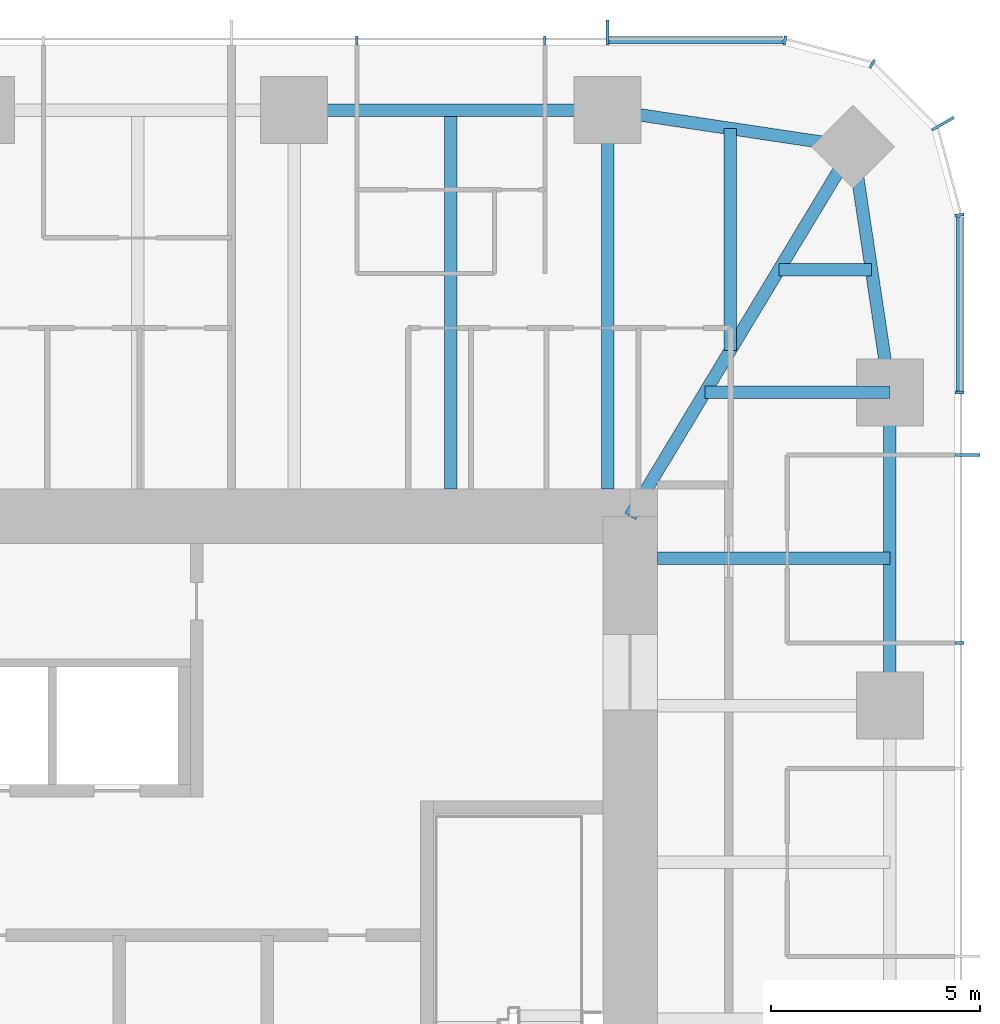
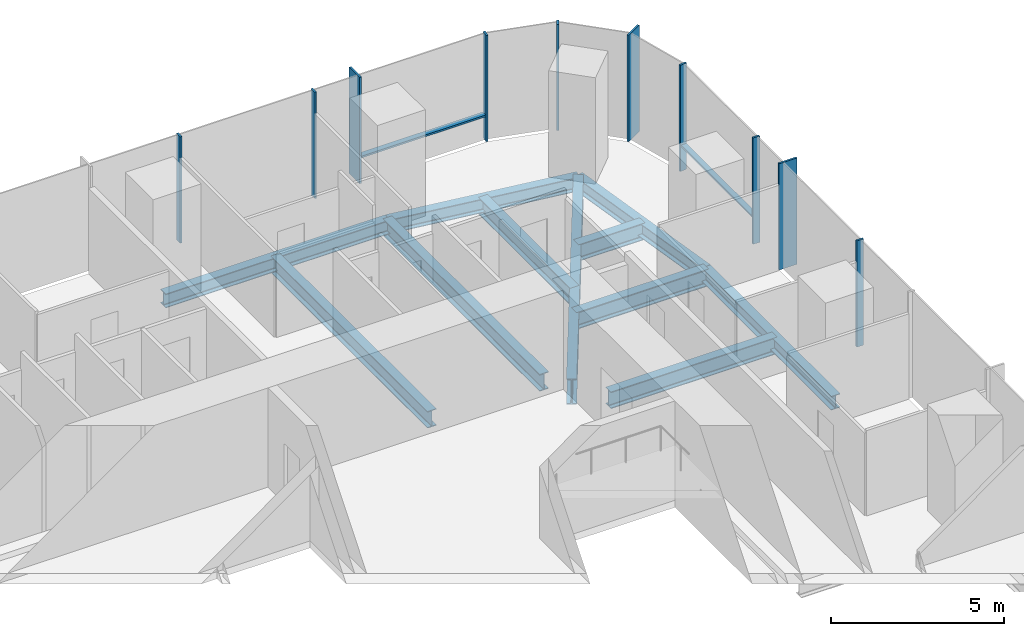
# One storey, part 6 of 12: 12 members, 11 beams, 3 elements without a shape of their own.
"""IFC4 building model written with IfcOpenShell, lengths in metres."""

from ifc_helpers import new_model, si_unit, direction, frame, origin, origin_2d, place, context, subcontext, project, spatial, rectangle, i_section, extrude, material, material_profile, profile_set, type_object, element, aggregate, save


model = new_model("IFC4")

# Units and contexts
model_context = context("Model", 3, precision=1e-05, world=origin(), true_north=direction((0.0, 1.0)))
body_context = subcontext(model_context, "Body", "Model", "MODEL_VIEW")
ifc_project = project(units=[si_unit("LENGTHUNIT", "METRE"), si_unit("AREAUNIT", "SQUARE_METRE"), si_unit("VOLUMEUNIT", "CUBIC_METRE"), si_unit("PLANEANGLEUNIT", "RADIAN"), si_unit("MASSUNIT", "GRAM", prefix="KILO")], contexts=[model_context])

# Site, building, storey
site_placement = place(None, origin())
site = spatial("IfcSite", under=ifc_project, at=site_placement, CompositionType="ELEMENT")
building_placement = place(site_placement, origin())
building = spatial("IfcBuilding", under=site, at=building_placement, Name="Khuree Lantern Residences", CompositionType="ELEMENT")
storey_placement = place(building_placement, frame((0.0, 0.0, 323.25)))
storey = spatial("IfcBuildingStorey", under=building, at=storey_placement, Name="L81", CompositionType="ELEMENT", Elevation=323.25)

# Beams
ifc_material_1 = material(Name="Steel S355", Category="steel")
ifc_material_profile_1 = material_profile(ifc_material_1, i_section(OverallWidth=0.300048828125, OverallDepth=0.590087890625, WebThickness=0.012939453125, FlangeThickness=0.02490234375, FilletRadius=0.027099609375, at=origin_2d()), Name="HE 600 A")
ifc_profile_set_1 = profile_set([ifc_material_profile_1], Name="Steel S355")
beam_type_1 = type_object("IfcBeamType", Name="B-43 SECONDARY BEAM HE 600 A", PredefinedType="BEAM", material=ifc_profile_set_1)
beam_1_placement = place(storey_placement, frame((11.219970703125, 21.699951171875, -0.544921875), z_axis=(0.0, -1.0, 0.0), x_axis=(1.0, 0.0, 0.0)))
element("IfcBeam", 1, at=beam_1_placement, inside=storey, type_object=beam_type_1, Name="Secondary beam N4", PredefinedType="BEAM", context=body_context, shape_type="SweptSolid", body=[
    extrude(i_section(OverallWidth=0.300048828125, OverallDepth=0.590087890625, WebThickness=0.012939453125, FlangeThickness=0.02490234375, FilletRadius=0.027099609375, at=origin_2d()), origin(), (0.0, 0.0, 1.0), 9.050048828125),
])
beam_2_placement = place(storey_placement, frame((17.890625, 21.2607421875, -0.544921875), z_axis=(0.0, -1.0, 0.0), x_axis=(1.0, 0.0, 0.0)))
element("IfcBeam", 2, at=beam_2_placement, inside=storey, type_object=beam_type_1, Name="Secondary beam N5", PredefinedType="BEAM", context=body_context, shape_type="SweptSolid", body=[
    extrude(i_section(OverallWidth=0.300048828125, OverallDepth=0.590087890625, WebThickness=0.012939453125, FlangeThickness=0.02490234375, FilletRadius=0.027099609375, at=origin_2d()), origin(), (0.0, 0.0, 1.0), 5.297607421875),
])
beam_3_placement = place(storey_placement, frame((21.2607421875, 17.890625, -0.544921875), z_axis=(-1.0, 0.0, 0.0), x_axis=(0.0, -1.0, 0.0)))
element("IfcBeam", 3, at=beam_3_placement, inside=storey, type_object=beam_type_1, Name="Secondary beam E1", PredefinedType="BEAM", context=body_context, shape_type="SweptSolid", body=[
    extrude(i_section(OverallWidth=0.300048828125, OverallDepth=0.590087890625, WebThickness=0.012939453125, FlangeThickness=0.02490234375, FilletRadius=0.027099609375, at=origin_2d()), origin(), (0.0, 0.0, 1.0), 2.207275390625),
])
beam_4_placement = place(storey_placement, frame((21.699951171875, 11.0, -0.544921875), z_axis=(-1.0, 0.0, 0.0), x_axis=(0.0, -1.0, 0.0)))
element("IfcBeam", 4, at=beam_4_placement, inside=storey, type_object=beam_type_1, Name="Secondary beam E2", PredefinedType="BEAM", context=body_context, shape_type="SweptSolid", body=[
    extrude(i_section(OverallWidth=0.300048828125, OverallDepth=0.590087890625, WebThickness=0.012939453125, FlangeThickness=0.02490234375, FilletRadius=0.027099609375, at=origin_2d()), origin(), (0.0, 0.0, 1.0), 5.550048828125),
])
ifc_material_profile_2 = material_profile(ifc_material_1, i_section(OverallWidth=0.300048828125, OverallDepth=0.489990234375, WebThickness=0.011962890625, FlangeThickness=0.02294921875, FilletRadius=0.027099609375, at=origin_2d()), Name="HE 500 A")
ifc_profile_set_2 = profile_set([ifc_material_profile_2], Name="Steel S355")
beam_type_2 = type_object("IfcBeamType", Name="E-43 SPANDREL BEAM HE 500 A", PredefinedType="SPANDREL", material=ifc_profile_set_2)
beam_5_placement = place(storey_placement, frame((7.47998046875, 21.699951171875, -0.4951171875), z_axis=(1.0, 0.0, 0.0), x_axis=(0.0, 1.0, 0.0)))
element("IfcBeam", 5, at=beam_5_placement, inside=storey, type_object=beam_type_2, Name="Spandrel beam N4", PredefinedType="SPANDREL", context=body_context, shape_type="SweptSolid", body=[
    extrude(i_section(OverallWidth=0.300048828125, OverallDepth=0.489990234375, WebThickness=0.011962890625, FlangeThickness=0.02294921875, FilletRadius=0.027099609375, at=origin_2d()), origin(), (0.0, 0.0, 1.0), 7.47998046875),
])
for number, where, z_axis, x_axis, name in (
    (6, (14.9599609375, 21.699951171875, -0.4951171875), (0.988949643299, -0.148251822985, 0.0), (0.148251822985, 0.988949643299, 0.0), "Spandrel beam N5"),
    (7, (20.8212890625, 20.8212890625, -0.4951171875), (0.148251822985, -0.988949643299, 0.0), (0.988949643299, 0.148251822985, 0.0), "Spandrel beam E1"),
):
    element("IfcBeam", number, at=place(storey_placement, frame(where, z_axis=z_axis, x_axis=x_axis)), inside=storey, type_object=beam_type_2, Name=name, PredefinedType="SPANDREL", context=body_context, shape_type="SweptSolid", body=[
        extrude(i_section(OverallWidth=0.300048828125, OverallDepth=0.489990234375, WebThickness=0.011962890625, FlangeThickness=0.02294921875, FilletRadius=0.027099609375, at=origin_2d()), origin(), (0.0, 0.0, 1.0), 5.9267578125),
    ])
beam_6_placement = place(storey_placement, frame((21.699951171875, 14.9599609375, -0.4951171875), z_axis=(0.0, -1.0, 0.0), x_axis=(1.0, 0.0, 0.0)))
element("IfcBeam", 8, at=beam_6_placement, inside=storey, type_object=beam_type_2, Name="Spandrel beam E2", PredefinedType="SPANDREL", context=body_context, shape_type="SweptSolid", body=[
    extrude(i_section(OverallWidth=0.300048828125, OverallDepth=0.489990234375, WebThickness=0.011962890625, FlangeThickness=0.02294921875, FilletRadius=0.027099609375, at=origin_2d()), origin(), (0.0, 0.0, 1.0), 7.47998046875),
])

# Curtain wall, member
ifc_material_2 = material(Name="Bronze anodised aluminium", Category="aluminium")
curtain_wall_type_1 = type_object("IfcCurtainWallType", Name="CW-T1 TOWER FACE CURTAIN WALL", PredefinedType="USERDEFINED", material=ifc_material_2)
curtain_wall_1_placement = place(storey_placement, origin())
curtain_wall_1 = element("IfcCurtainWall", 9, at=curtain_wall_1_placement, inside=storey, type_object=curtain_wall_type_1, Name="L81 EAST FACE CURTAIN WALL", ObjectType="Stick-built curtain wall", PredefinedType="USERDEFINED")
ifc_material_profile_3 = material_profile(ifc_material_2, rectangle(XDim=0.06494140625, YDim=0.60009765625, at=origin_2d()), Name="F1 65X600")
ifc_profile_set_3 = profile_set([ifc_material_profile_3], Name="Bronze anodised aluminium")
member_type_1 = type_object("IfcMemberType", Name="F1 BRONZE FIN MULLION TOWER 65X600", PredefinedType="MULLION", material=ifc_profile_set_3)
member_1_placement = place(storey_placement, frame((23.550048828125, 13.464111328125, 0.0), z_axis=(0.0, 0.0, 1.0), x_axis=(0.0, 1.0, 0.0)))
member_1 = element("IfcMember", 10, at=member_1_placement, type_object=member_type_1, Name="L81 EAST FACE FIN MULLION 13", PredefinedType="MULLION", context=body_context, shape_type="SweptSolid", body=[
    extrude(rectangle(XDim=0.06494140625, YDim=0.60009765625, at=origin_2d()), origin(), (0.0, 0.0, 1.0), 3.75),
])

curtain_wall_type_2 = type_object("IfcCurtainWallType", Name="CW-T2 TOWER CORNER CURTAIN WALL", PredefinedType="USERDEFINED", material=ifc_material_2)
curtain_wall_2_placement = place(storey_placement, origin())
curtain_wall_2 = element("IfcCurtainWall", 11, at=curtain_wall_2_placement, inside=storey, type_object=curtain_wall_type_2, Name="L81 NORTH-EAST CORNER CURTAIN WALL", ObjectType="Faceted corner curtain wall", PredefinedType="USERDEFINED")
member_2_placement = place(storey_placement, frame((22.96728515625, 21.375, 0.0), z_axis=(0.0, 0.0, 1.0), x_axis=(-0.49999994149, 0.866025437565, 0.0)))
member_2 = element("IfcMember", 12, at=member_2_placement, type_object=member_type_1, Name="L81 NORTH-EAST CORNER FIN MULLION 16", PredefinedType="MULLION", context=body_context, shape_type="SweptSolid", body=[
    extrude(rectangle(XDim=0.06494140625, YDim=0.60009765625, at=origin_2d()), origin(), (0.0, 0.0, 1.0), 3.75),
])

curtain_wall_3_placement = place(storey_placement, origin())
curtain_wall_3 = element("IfcCurtainWall", 13, at=curtain_wall_3_placement, inside=storey, type_object=curtain_wall_type_1, Name="L81 NORTH FACE CURTAIN WALL", ObjectType="Stick-built curtain wall", PredefinedType="USERDEFINED")
member_3_placement = place(storey_placement, frame((14.9599609375, 23.550048828125, 0.0), z_axis=(0.0, 0.0, 1.0), x_axis=(-1.0, 0.0, 0.0)))
member_3 = element("IfcMember", 14, at=member_3_placement, type_object=member_type_1, Name="L81 NORTH FACE FIN MULLION 19", PredefinedType="MULLION", context=body_context, shape_type="SweptSolid", body=[
    extrude(rectangle(XDim=0.06494140625, YDim=0.60009765625, at=origin_2d()), origin(), (0.0, 0.0, 1.0), 3.75),
])

# Beams
ifc_material_profile_4 = material_profile(ifc_material_1, i_section(OverallWidth=0.300048828125, OverallDepth=0.60009765625, WebThickness=0.015380859375, FlangeThickness=0.030029296875, FilletRadius=0.027099609375, at=origin_2d()), Name="HE 600 B")
ifc_profile_set_4 = profile_set([ifc_material_profile_4], Name="Steel S355")
beam_type_3 = type_object("IfcBeamType", Name="G-43 GIRDER HE 600 B", PredefinedType="BEAM", material=ifc_profile_set_4)
beam_7_placement = place(storey_placement, frame((14.9599609375, 21.699951171875, -0.550048828125), z_axis=(0.0, -1.0, 0.0), x_axis=(1.0, 0.0, 0.0)))
element("IfcBeam", 15, at=beam_7_placement, inside=storey, type_object=beam_type_3, Name="Girder N5", PredefinedType="BEAM", context=body_context, shape_type="SweptSolid", body=[
    extrude(i_section(OverallWidth=0.300048828125, OverallDepth=0.60009765625, WebThickness=0.015380859375, FlangeThickness=0.030029296875, FilletRadius=0.027099609375, at=origin_2d()), origin(), (0.0, 0.0, 1.0), 9.050048828125),
])
beam_8_placement = place(storey_placement, frame((21.699951171875, 14.9599609375, -0.550048828125), z_axis=(-1.0, 0.0, 0.0), x_axis=(0.0, -1.0, 0.0)))
element("IfcBeam", 16, at=beam_8_placement, inside=storey, type_object=beam_type_3, Name="Girder E1", PredefinedType="BEAM", context=body_context, shape_type="SweptSolid", body=[
    extrude(i_section(OverallWidth=0.300048828125, OverallDepth=0.60009765625, WebThickness=0.015380859375, FlangeThickness=0.030029296875, FilletRadius=0.027099609375, at=origin_2d()), origin(), (0.0, 0.0, 1.0), 4.414306640625),
])
ifc_material_profile_5 = material_profile(ifc_material_1, i_section(OverallWidth=0.300048828125, OverallDepth=0.89990234375, WebThickness=0.0185546875, FlangeThickness=0.034912109375, FilletRadius=0.030029296875, at=origin_2d()), Name="HE 900 B")
ifc_profile_set_5 = profile_set([ifc_material_profile_5], Name="Steel S355")
beam_type_4 = type_object("IfcBeamType", Name="GD-43 CORNER GIRDER HE 900 B", PredefinedType="BEAM", material=ifc_profile_set_5)
beam_9_placement = place(storey_placement, frame((20.8212890625, 20.8212890625, -0.699951171875), z_axis=(-0.516529577604, -0.856269347495, 0.0), x_axis=(0.856269347495, -0.516529577604, 0.0)))
element("IfcBeam", 17, at=beam_9_placement, inside=storey, type_object=beam_type_4, Name="Corner girder NE", PredefinedType="BEAM", context=body_context, shape_type="SweptSolid", body=[
    extrude(i_section(OverallWidth=0.300048828125, OverallDepth=0.89990234375, WebThickness=0.0185546875, FlangeThickness=0.034912109375, FilletRadius=0.030029296875, at=origin_2d()), origin(), (0.0, 0.0, 1.0), 10.302001953125),
])

# Member
ifc_material_profile_6 = material_profile(ifc_material_2, rectangle(XDim=0.06494140625, YDim=0.219970703125, at=origin_2d()), Name="M1 65X220")
ifc_profile_set_6 = profile_set([ifc_material_profile_6], Name="Bronze anodised aluminium")
member_type_2 = type_object("IfcMemberType", Name="M1 BRONZE MULLION TOWER 65X220", PredefinedType="MULLION", material=ifc_profile_set_6)
member_4_placement = place(storey_placement, frame((23.360107421875, 8.97607421875, 0.0), z_axis=(0.0, 0.0, 1.0), x_axis=(0.0, 1.0, 0.0)))
member_4 = element("IfcMember", 18, at=member_4_placement, type_object=member_type_2, Name="L81 EAST FACE MULLION 12", PredefinedType="MULLION", context=body_context, shape_type="SweptSolid", body=[
    extrude(rectangle(XDim=0.06494140625, YDim=0.219970703125, at=origin_2d()), origin(), (0.0, 0.0, 1.0), 3.75),
])

member_5_placement = place(storey_placement, frame((23.360107421875, 14.9599609375, 0.0), z_axis=(0.0, 0.0, 1.0), x_axis=(0.0, 1.0, 0.0)))
member_5 = element("IfcMember", 19, at=member_5_placement, type_object=member_type_2, Name="L81 EAST FACE MULLION 14", PredefinedType="MULLION", context=body_context, shape_type="SweptSolid", body=[
    extrude(rectangle(XDim=0.06494140625, YDim=0.219970703125, at=origin_2d()), origin(), (0.0, 0.0, 1.0), 3.75),
])

member_6_placement = place(storey_placement, frame((23.36181640625, 19.195068359375, 0.0), z_axis=(0.0, 0.0, 1.0), x_axis=(-0.130526125236, 0.991444870192, 0.0)))
member_6 = element("IfcMember", 20, at=member_6_placement, type_object=member_type_2, Name="L81 NORTH-EAST CORNER MULLION 15", PredefinedType="MULLION", context=body_context, shape_type="SweptSolid", body=[
    extrude(rectangle(XDim=0.06494140625, YDim=0.219970703125, at=origin_2d()), origin(), (0.0, 0.0, 1.0), 3.75),
])

member_7_placement = place(storey_placement, frame((21.280029296875, 22.802734375, 0.0), z_axis=(0.0, 0.0, 1.0), x_axis=(-0.866025437565, 0.49999994149, 0.0)))
member_7 = element("IfcMember", 21, at=member_7_placement, type_object=member_type_2, Name="L81 NORTH-EAST CORNER MULLION 17", PredefinedType="MULLION", context=body_context, shape_type="SweptSolid", body=[
    extrude(rectangle(XDim=0.06494140625, YDim=0.219970703125, at=origin_2d()), origin(), (0.0, 0.0, 1.0), 3.75),
])

aggregate(curtain_wall_2, [member_6, member_2, member_7])

member_8_placement = place(storey_placement, frame((19.195068359375, 23.36181640625, 0.0), z_axis=(0.0, 0.0, 1.0), x_axis=(-0.991444870192, 0.130526125236, 0.0)))
member_8 = element("IfcMember", 22, at=member_8_placement, type_object=member_type_2, Name="L81 NORTH FACE MULLION 18", PredefinedType="MULLION", context=body_context, shape_type="SweptSolid", body=[
    extrude(rectangle(XDim=0.06494140625, YDim=0.219970703125, at=origin_2d()), origin(), (0.0, 0.0, 1.0), 3.75),
])

member_9_placement = place(storey_placement, frame((13.464111328125, 23.360107421875, 0.0), z_axis=(0.0, 0.0, 1.0), x_axis=(-1.0, 0.0, 0.0)))
member_9 = element("IfcMember", 23, at=member_9_placement, type_object=member_type_2, Name="L81 NORTH FACE MULLION 20", PredefinedType="MULLION", context=body_context, shape_type="SweptSolid", body=[
    extrude(rectangle(XDim=0.06494140625, YDim=0.219970703125, at=origin_2d()), origin(), (0.0, 0.0, 1.0), 3.75),
])

member_10_placement = place(storey_placement, frame((8.97607421875, 23.360107421875, 0.0), z_axis=(0.0, 0.0, 1.0), x_axis=(-1.0, 0.0, 0.0)))
member_10 = element("IfcMember", 24, at=member_10_placement, type_object=member_type_2, Name="L81 NORTH FACE MULLION 21", PredefinedType="MULLION", context=body_context, shape_type="SweptSolid", body=[
    extrude(rectangle(XDim=0.06494140625, YDim=0.219970703125, at=origin_2d()), origin(), (0.0, 0.0, 1.0), 3.75),
])

ifc_material_profile_7 = material_profile(ifc_material_2, rectangle(XDim=0.179931640625, YDim=0.06494140625, at=origin_2d()), Name="T1 180X65")
ifc_profile_set_7 = profile_set([ifc_material_profile_7], Name="Bronze anodised aluminium")
member_type_3 = type_object("IfcMemberType", Name="TRANSOM T1 TOWER 180X65", PredefinedType="USERDEFINED", material=ifc_profile_set_7)
member_11_placement = place(storey_placement, frame((23.3701171875, 14.992431640625, 0.89990234375), z_axis=(0.0, 1.0, 0.0), x_axis=(-1.0, 0.0, 0.0)))
member_11 = element("IfcMember", 25, at=member_11_placement, type_object=member_type_3, Name="L81 EAST FACE TRANSOM 14.1", ObjectType="Transom", PredefinedType="USERDEFINED", context=body_context, shape_type="SweptSolid", body=[
    extrude(rectangle(XDim=0.179931640625, YDim=0.06494140625, at=origin_2d()), origin(), (0.0, 0.0, 1.0), 4.158935546875),
])

aggregate(curtain_wall_1, [member_4, member_1, member_5, member_11])

member_12_placement = place(storey_placement, frame((19.1513671875, 23.3701171875, 0.89990234375), z_axis=(-1.0, 0.0, 0.0), x_axis=(0.0, -1.0, 0.0)))
member_12 = element("IfcMember", 26, at=member_12_placement, type_object=member_type_3, Name="L81 NORTH FACE TRANSOM 18.1", ObjectType="Transom", PredefinedType="USERDEFINED", context=body_context, shape_type="SweptSolid", body=[
    extrude(rectangle(XDim=0.179931640625, YDim=0.06494140625, at=origin_2d()), origin(), (0.0, 0.0, 1.0), 4.158935546875),
])

aggregate(curtain_wall_3, [member_8, member_3, member_9, member_10, member_12])

save(model, "model.ifc")
